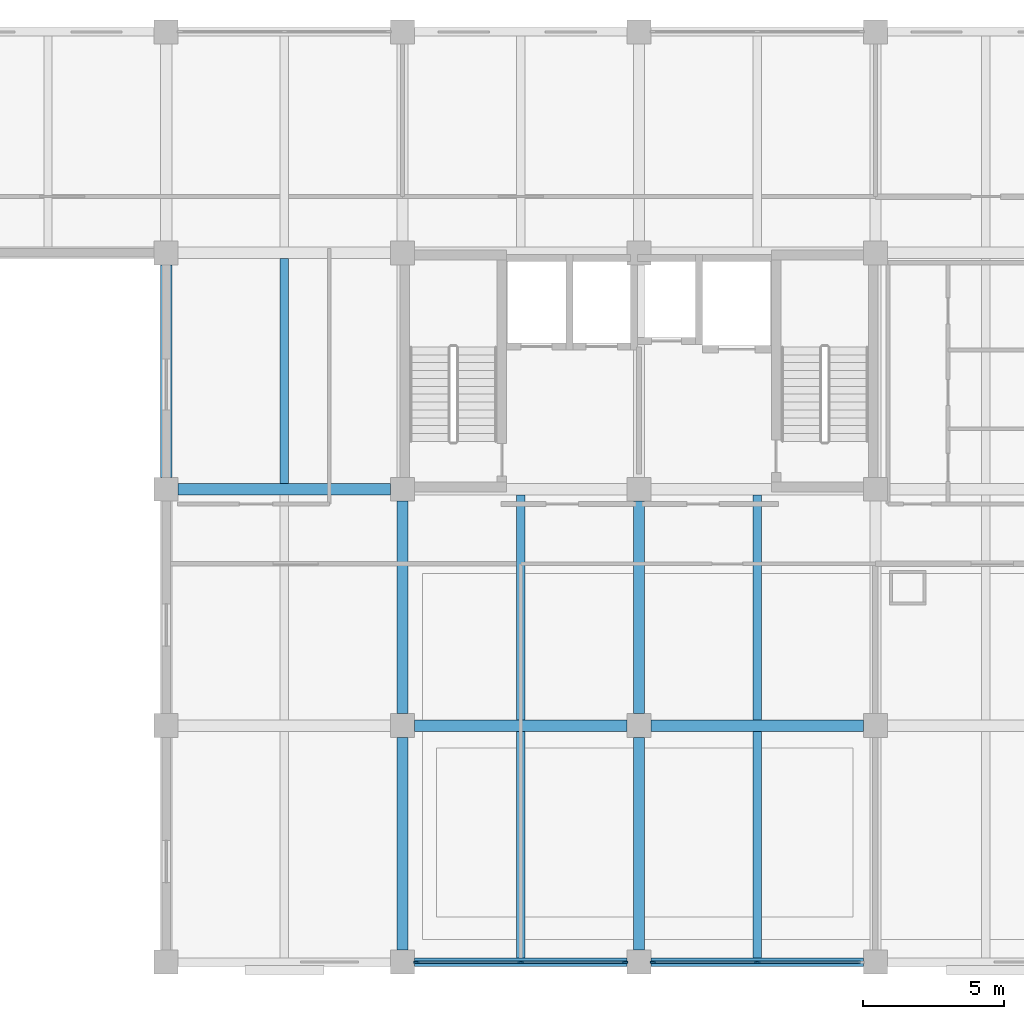
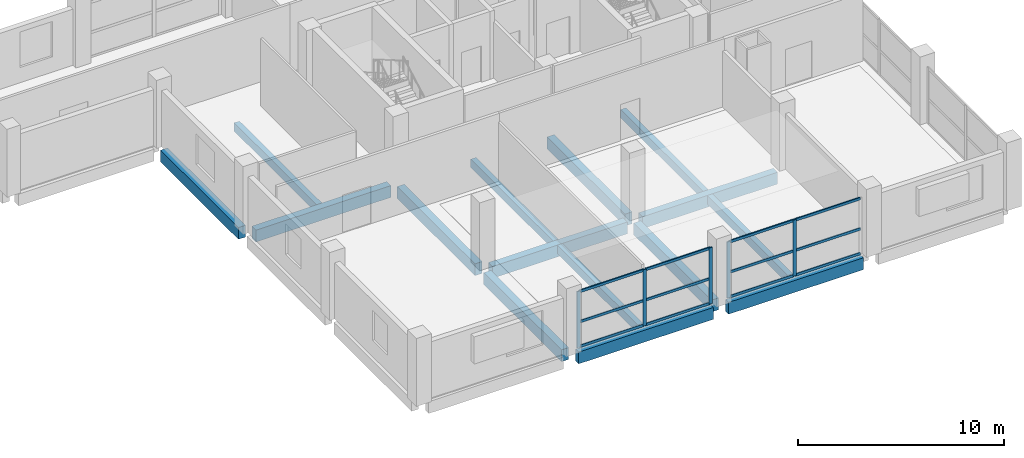
# One storey, part 2 of 9: 17 members, 15 beams, 2 elements without a shape of their own.
"""IFC4 building model written with IfcOpenShell, lengths in metres."""

from ifc_helpers import new_model, si_unit, direction, frame, origin, origin_2d, place, context, subcontext, project, spatial, rectangle, extrude, material, material_profile, profile_set, type_object, element, aggregate, save


model = new_model("IFC4")

# Units and contexts
model_context = context("Model", 3, precision=1e-05, world=origin(), true_north=direction((0.0, 1.0)))
body_context = subcontext(model_context, "Body", "Model", "MODEL_VIEW")
ifc_project = project(units=[si_unit("LENGTHUNIT", "METRE"), si_unit("AREAUNIT", "SQUARE_METRE"), si_unit("VOLUMEUNIT", "CUBIC_METRE"), si_unit("PLANEANGLEUNIT", "RADIAN"), si_unit("MASSUNIT", "GRAM", prefix="KILO")], contexts=[model_context])

# Site, building, storey
site_placement = place(None, origin())
site = spatial("IfcSite", under=ifc_project, at=site_placement, CompositionType="ELEMENT")
building_placement = place(site_placement, origin())
building = spatial("IfcBuilding", under=site, at=building_placement, Name="Brinegate Botanical Conservatory", CompositionType="ELEMENT")
storey_placement = place(building_placement, frame((0.0, 0.0, 31.800048828125)))
storey = spatial("IfcBuildingStorey", under=building, at=storey_placement, Name="L08", CompositionType="ELEMENT", Elevation=31.800048828125)

# Beams
ifc_material_1 = material(Name="Concrete C40/50", Category="concrete")
ifc_material_profile_1 = material_profile(ifc_material_1, rectangle(XDim=0.39990234375, YDim=0.699951171875, at=origin_2d()), Name="RC BM 400x700")
ifc_profile_set_1 = profile_set([ifc_material_profile_1], Name="Concrete C40/50")
beam_type_1 = type_object("IfcBeamType", Name="Beam_BM-T2", PredefinedType="BEAM", material=ifc_profile_set_1)
beam_1_placement = place(storey_placement, frame((139.22509765625, 86.800048828125, -0.530029296875), z_axis=(1.0, 0.0, 0.0), x_axis=(0.0, 1.0, 0.0)))
element("IfcBeam", 1, at=beam_1_placement, inside=storey, type_object=beam_type_1, Name="Beam BM-T2 L08 L:18-19", PredefinedType="BEAM", context=body_context, shape_type="SweptSolid", body=[
    extrude(rectangle(XDim=0.39990234375, YDim=0.699951171875, at=origin_2d()), origin(), (0.0, 0.0, 1.0), 7.5498046875),
])
for number, where, z_axis, x_axis, name in (
    (2, (147.625, 86.800048828125, -0.530029296875), (1.0, 0.0, 0.0), (0.0, 1.0, 0.0), "Beam BM-T2 L08 L:19-20"),
    (3, (130.824951171875, 95.199951171875, -0.530029296875), (1.0, 0.0, 0.0), (0.0, 1.0, 0.0), "Beam BM-T2 L08 M:17-18"),
    (4, (130.39990234375, 95.625, -0.530029296875), (0.0, 1.0, 0.0), (-1.0, 0.0, 0.0), "Beam BM-T2 L08 17:M-N"),
    (5, (138.800048828125, 78.824951171875, -0.530029296875), (0.0, 1.0, 0.0), (-1.0, 0.0, 0.0), "Beam BM-T2 L08 18:K-L"),
):
    element("IfcBeam", number, at=place(storey_placement, frame(where, z_axis=z_axis, x_axis=x_axis)), inside=storey, type_object=beam_type_1, Name=name, PredefinedType="BEAM", context=body_context, shape_type="SweptSolid", body=[
        extrude(rectangle(XDim=0.39990234375, YDim=0.699951171875, at=origin_2d()), origin(), (0.0, 0.0, 1.0), 7.550048828125),
    ])
beam_2_placement = place(storey_placement, frame((138.800048828125, 87.22509765625, -0.530029296875), z_axis=(0.0, 1.0, 0.0), x_axis=(-1.0, 0.0, 0.0)))
element("IfcBeam", 6, at=beam_2_placement, inside=storey, type_object=beam_type_1, Name="Beam BM-T2 L08 18:L-M", PredefinedType="BEAM", context=body_context, shape_type="SweptSolid", body=[
    extrude(rectangle(XDim=0.39990234375, YDim=0.699951171875, at=origin_2d()), origin(), (0.0, 0.0, 1.0), 7.5498046875),
])
beam_3_placement = place(storey_placement, frame((147.199951171875, 78.824951171875, -0.530029296875), z_axis=(0.0, 1.0, 0.0), x_axis=(-1.0, 0.0, 0.0)))
element("IfcBeam", 7, at=beam_3_placement, inside=storey, type_object=beam_type_1, Name="Beam BM-T2 L08 19:K-L", PredefinedType="BEAM", context=body_context, shape_type="SweptSolid", body=[
    extrude(rectangle(XDim=0.39990234375, YDim=0.699951171875, at=origin_2d()), origin(), (0.0, 0.0, 1.0), 7.550048828125),
])
beam_4_placement = place(storey_placement, frame((147.199951171875, 87.22509765625, -0.530029296875), z_axis=(0.0, 1.0, 0.0), x_axis=(-1.0, 0.0, 0.0)))
element("IfcBeam", 8, at=beam_4_placement, inside=storey, type_object=beam_type_1, Name="Beam BM-T2 L08 19:L-M", PredefinedType="BEAM", context=body_context, shape_type="SweptSolid", body=[
    extrude(rectangle(XDim=0.39990234375, YDim=0.699951171875, at=origin_2d()), origin(), (0.0, 0.0, 1.0), 7.5498046875),
])
ifc_material_profile_2 = material_profile(ifc_material_1, rectangle(XDim=0.300048828125, YDim=0.5, at=origin_2d()), Name="RC JST 300x500")
ifc_profile_set_2 = profile_set([ifc_material_profile_2], Name="Concrete C40/50")
beam_type_2 = type_object("IfcBeamType", Name="Beam_JS-C2", PredefinedType="JOIST", material=ifc_profile_set_2)
beam_5_placement = place(storey_placement, frame((134.60009765625, 95.39990234375, -0.429931640625), z_axis=(0.0, 1.0, 0.0), x_axis=(-1.0, 0.0, 0.0)))
element("IfcBeam", 9, at=beam_5_placement, inside=storey, type_object=beam_type_2, Name="Floor joist JS-C2 L08 bay 17.12", PredefinedType="JOIST", context=body_context, shape_type="SweptSolid", body=[
    extrude(rectangle(XDim=0.300048828125, YDim=0.5, at=origin_2d()), origin(), (0.0, 0.0, 1.0), 8.0),
])
beam_6_placement = place(storey_placement, frame((143.0, 78.550048828125, -0.429931640625), z_axis=(0.0, 1.0, 0.0), x_axis=(-1.0, 0.0, 0.0)))
element("IfcBeam", 10, at=beam_6_placement, inside=storey, type_object=beam_type_2, Name="Floor joist JS-C2 L08 bay 18.10", PredefinedType="JOIST", context=body_context, shape_type="SweptSolid", body=[
    extrude(rectangle(XDim=0.300048828125, YDim=0.5, at=origin_2d()), origin(), (0.0, 0.0, 1.0), 8.050048828125),
])
beam_7_placement = place(storey_placement, frame((143.0, 87.0, -0.429931640625), z_axis=(0.0, 1.0, 0.0), x_axis=(-1.0, 0.0, 0.0)))
element("IfcBeam", 11, at=beam_7_placement, inside=storey, type_object=beam_type_2, Name="Floor joist JS-C2 L08 bay 18.11", PredefinedType="JOIST", context=body_context, shape_type="SweptSolid", body=[
    extrude(rectangle(XDim=0.300048828125, YDim=0.5, at=origin_2d()), origin(), (0.0, 0.0, 1.0), 8.0),
])
beam_8_placement = place(storey_placement, frame((151.39990234375, 78.550048828125, -0.429931640625), z_axis=(0.0, 1.0, 0.0), x_axis=(-1.0, 0.0, 0.0)))
element("IfcBeam", 12, at=beam_8_placement, inside=storey, type_object=beam_type_2, Name="Floor joist JS-C2 L08 bay 19.10", PredefinedType="JOIST", context=body_context, shape_type="SweptSolid", body=[
    extrude(rectangle(XDim=0.300048828125, YDim=0.5, at=origin_2d()), origin(), (0.0, 0.0, 1.0), 8.050048828125),
])
beam_9_placement = place(storey_placement, frame((151.39990234375, 87.0, -0.429931640625), z_axis=(0.0, 1.0, 0.0), x_axis=(-1.0, 0.0, 0.0)))
element("IfcBeam", 13, at=beam_9_placement, inside=storey, type_object=beam_type_2, Name="Floor joist JS-C2 L08 bay 19.11", PredefinedType="JOIST", context=body_context, shape_type="SweptSolid", body=[
    extrude(rectangle(XDim=0.300048828125, YDim=0.5, at=origin_2d()), origin(), (0.0, 0.0, 1.0), 8.0),
])
ifc_material_profile_3 = material_profile(ifc_material_1, rectangle(XDim=0.300048828125, YDim=0.699951171875, at=origin_2d()), Name="RC SPN 300x700")
ifc_profile_set_3 = profile_set([ifc_material_profile_3], Name="Concrete C40/50")
beam_type_3 = type_object("IfcBeamType", Name="Beam_SP-02", PredefinedType="SPANDREL", material=ifc_profile_set_3)
beam_10_placement = place(storey_placement, frame((139.22509765625, 78.39990234375, -0.530029296875), z_axis=(1.0, 0.0, 0.0), x_axis=(0.0, 1.0, 0.0)))
element("IfcBeam", 14, at=beam_10_placement, inside=storey, type_object=beam_type_3, Name="Beam SP-02 L08 K:18-19", PredefinedType="SPANDREL", context=body_context, shape_type="SweptSolid", body=[
    extrude(rectangle(XDim=0.300048828125, YDim=0.699951171875, at=origin_2d()), origin(), (0.0, 0.0, 1.0), 7.5498046875),
])
beam_11_placement = place(storey_placement, frame((147.625, 78.39990234375, -0.530029296875), z_axis=(1.0, 0.0, 0.0), x_axis=(0.0, 1.0, 0.0)))
element("IfcBeam", 15, at=beam_11_placement, inside=storey, type_object=beam_type_3, Name="Beam SP-02 L08 K:19-20", PredefinedType="SPANDREL", context=body_context, shape_type="SweptSolid", body=[
    extrude(rectangle(XDim=0.300048828125, YDim=0.699951171875, at=origin_2d()), origin(), (0.0, 0.0, 1.0), 7.550048828125),
])

# Curtain wall, members
ifc_material_2 = material(Name="Thermally broken anodised aluminium AW-6063-T6", Category="aluminium")
curtain_wall_type = type_object("IfcCurtainWallType", Name="CW_CW-TW1", PredefinedType="USERDEFINED", material=ifc_material_2)
curtain_wall_1_placement = place(storey_placement, origin())
curtain_wall_1 = element("IfcCurtainWall", 16, at=curtain_wall_1_placement, inside=storey, type_object=curtain_wall_type, Name="Tower south curtain wall L08.2", ObjectType="FACTORY CURTAIN WALL", PredefinedType="USERDEFINED")
ifc_material_profile_4 = material_profile(ifc_material_2, rectangle(XDim=0.070068359375, YDim=0.199951171875, at=origin_2d()), Name="ALUM MULLION 70x200")
ifc_profile_set_4 = profile_set([ifc_material_profile_4], Name="Thermally broken anodised aluminium AW-6063-T6")
member_type_1 = type_object("IfcMemberType", Name="Member_ML-03", PredefinedType="MULLION", material=ifc_profile_set_4)
member_1_placement = place(storey_placement, frame((146.699951171875, 78.39990234375, 0.0), z_axis=(0.0, 0.0, 1.0), x_axis=(0.0, -1.0, 0.0)))
member_1 = element("IfcMember", 17, at=member_1_placement, type_object=member_type_1, Name="CW-TW1 mullion 1", PredefinedType="MULLION", context=body_context, shape_type="SweptSolid", body=[
    extrude(rectangle(XDim=0.070068359375, YDim=0.199951171875, at=origin_2d()), origin(), (0.0, 0.0, 1.0), 3.320068359375),
])
member_2_placement = place(storey_placement, frame((143.0, 78.39990234375, 0.0), z_axis=(0.0, 0.0, 1.0), x_axis=(0.0, -1.0, 0.0)))
member_2 = element("IfcMember", 18, at=member_2_placement, type_object=member_type_1, Name="CW-TW1 mullion 2", PredefinedType="MULLION", context=body_context, shape_type="SweptSolid", body=[
    extrude(rectangle(XDim=0.070068359375, YDim=0.199951171875, at=origin_2d()), origin(), (0.0, 0.0, 1.0), 3.320068359375),
])
member_3_placement = place(storey_placement, frame((139.300048828125, 78.39990234375, 0.0), z_axis=(0.0, 0.0, 1.0), x_axis=(0.0, -1.0, 0.0)))
member_3 = element("IfcMember", 19, at=member_3_placement, type_object=member_type_1, Name="CW-TW1 mullion 3", PredefinedType="MULLION", context=body_context, shape_type="SweptSolid", body=[
    extrude(rectangle(XDim=0.070068359375, YDim=0.199951171875, at=origin_2d()), origin(), (0.0, 0.0, 1.0), 3.320068359375),
])

curtain_wall_2_placement = place(storey_placement, origin())
curtain_wall_2 = element("IfcCurtainWall", 20, at=curtain_wall_2_placement, inside=storey, type_object=curtain_wall_type, Name="Tower south curtain wall L08.3", ObjectType="FACTORY CURTAIN WALL", PredefinedType="USERDEFINED")
member_4_placement = place(storey_placement, frame((151.39990234375, 78.39990234375, 0.0), z_axis=(0.0, 0.0, 1.0), x_axis=(0.0, -1.0, 0.0)))
member_4 = element("IfcMember", 21, at=member_4_placement, type_object=member_type_1, Name="CW-TW1 mullion 2", PredefinedType="MULLION", context=body_context, shape_type="SweptSolid", body=[
    extrude(rectangle(XDim=0.070068359375, YDim=0.199951171875, at=origin_2d()), origin(), (0.0, 0.0, 1.0), 3.320068359375),
])
member_5_placement = place(storey_placement, frame((147.699951171875, 78.39990234375, 0.0), z_axis=(0.0, 0.0, 1.0), x_axis=(0.0, -1.0, 0.0)))
member_5 = element("IfcMember", 22, at=member_5_placement, type_object=member_type_1, Name="CW-TW1 mullion 3", PredefinedType="MULLION", context=body_context, shape_type="SweptSolid", body=[
    extrude(rectangle(XDim=0.070068359375, YDim=0.199951171875, at=origin_2d()), origin(), (0.0, 0.0, 1.0), 3.320068359375),
])

# Member
ifc_material_profile_5 = material_profile(ifc_material_2, rectangle(XDim=0.070068359375, YDim=0.14990234375, at=origin_2d()), Name="ALUM TRANSOM 70x150")
ifc_profile_set_5 = profile_set([ifc_material_profile_5], Name="Thermally broken anodised aluminium AW-6063-T6")
member_type_2 = type_object("IfcMemberType", Name="Member_TR-03", PredefinedType="USERDEFINED", material=ifc_profile_set_5)
member_6_placement = place(storey_placement, frame((146.6650390625, 78.39990234375, 0.034912109375), z_axis=(-1.0, 0.0, 0.0), x_axis=(0.0, -1.0, 0.0)))
member_6 = element("IfcMember", 23, at=member_6_placement, type_object=member_type_2, Name="CW-TW1 transom 1.1", ObjectType="TRANSOM", PredefinedType="USERDEFINED", context=body_context, shape_type="SweptSolid", body=[
    extrude(rectangle(XDim=0.070068359375, YDim=0.14990234375, at=origin_2d()), origin(), (0.0, 0.0, 1.0), 3.630126953125),
])

member_7_placement = place(storey_placement, frame((146.6650390625, 78.39990234375, 1.493896484375), z_axis=(-1.0, 0.0, 0.0), x_axis=(0.0, -1.0, 0.0)))
member_7 = element("IfcMember", 24, at=member_7_placement, type_object=member_type_2, Name="CW-TW1 transom 1.2", ObjectType="TRANSOM", PredefinedType="USERDEFINED", context=body_context, shape_type="SweptSolid", body=[
    extrude(rectangle(XDim=0.070068359375, YDim=0.14990234375, at=origin_2d()), origin(), (0.0, 0.0, 1.0), 3.630126953125),
])

member_8_placement = place(storey_placement, frame((146.6650390625, 78.39990234375, 3.284912109375), z_axis=(-1.0, 0.0, 0.0), x_axis=(0.0, -1.0, 0.0)))
member_8 = element("IfcMember", 25, at=member_8_placement, type_object=member_type_2, Name="CW-TW1 transom 1.3", ObjectType="TRANSOM", PredefinedType="USERDEFINED", context=body_context, shape_type="SweptSolid", body=[
    extrude(rectangle(XDim=0.070068359375, YDim=0.14990234375, at=origin_2d()), origin(), (0.0, 0.0, 1.0), 3.630126953125),
])

member_9_placement = place(storey_placement, frame((142.965087890625, 78.39990234375, 0.034912109375), z_axis=(-1.0, 0.0, 0.0), x_axis=(0.0, -1.0, 0.0)))
member_9 = element("IfcMember", 26, at=member_9_placement, type_object=member_type_2, Name="CW-TW1 transom 2.1", ObjectType="TRANSOM", PredefinedType="USERDEFINED", context=body_context, shape_type="SweptSolid", body=[
    extrude(rectangle(XDim=0.070068359375, YDim=0.14990234375, at=origin_2d()), origin(), (0.0, 0.0, 1.0), 3.630126953125),
])

member_10_placement = place(storey_placement, frame((142.965087890625, 78.39990234375, 1.493896484375), z_axis=(-1.0, 0.0, 0.0), x_axis=(0.0, -1.0, 0.0)))
member_10 = element("IfcMember", 27, at=member_10_placement, type_object=member_type_2, Name="CW-TW1 transom 2.2", ObjectType="TRANSOM", PredefinedType="USERDEFINED", context=body_context, shape_type="SweptSolid", body=[
    extrude(rectangle(XDim=0.070068359375, YDim=0.14990234375, at=origin_2d()), origin(), (0.0, 0.0, 1.0), 3.630126953125),
])

member_11_placement = place(storey_placement, frame((142.965087890625, 78.39990234375, 3.284912109375), z_axis=(-1.0, 0.0, 0.0), x_axis=(0.0, -1.0, 0.0)))
member_11 = element("IfcMember", 28, at=member_11_placement, type_object=member_type_2, Name="CW-TW1 transom 2.3", ObjectType="TRANSOM", PredefinedType="USERDEFINED", context=body_context, shape_type="SweptSolid", body=[
    extrude(rectangle(XDim=0.070068359375, YDim=0.14990234375, at=origin_2d()), origin(), (0.0, 0.0, 1.0), 3.630126953125),
])

aggregate(curtain_wall_1, [member_1, member_2, member_3, member_6, member_7, member_8, member_9, member_10, member_11])

member_12_placement = place(storey_placement, frame((155.06494140625, 78.39990234375, 0.034912109375), z_axis=(-1.0, 0.0, 0.0), x_axis=(0.0, -1.0, 0.0)))
member_12 = element("IfcMember", 29, at=member_12_placement, type_object=member_type_2, Name="CW-TW1 transom 1.1", ObjectType="TRANSOM", PredefinedType="USERDEFINED", context=body_context, shape_type="SweptSolid", body=[
    extrude(rectangle(XDim=0.070068359375, YDim=0.14990234375, at=origin_2d()), origin(), (0.0, 0.0, 1.0), 3.6298828125),
])

member_13_placement = place(storey_placement, frame((155.06494140625, 78.39990234375, 1.493896484375), z_axis=(-1.0, 0.0, 0.0), x_axis=(0.0, -1.0, 0.0)))
member_13 = element("IfcMember", 30, at=member_13_placement, type_object=member_type_2, Name="CW-TW1 transom 1.2", ObjectType="TRANSOM", PredefinedType="USERDEFINED", context=body_context, shape_type="SweptSolid", body=[
    extrude(rectangle(XDim=0.070068359375, YDim=0.14990234375, at=origin_2d()), origin(), (0.0, 0.0, 1.0), 3.6298828125),
])

member_14_placement = place(storey_placement, frame((155.06494140625, 78.39990234375, 3.284912109375), z_axis=(-1.0, 0.0, 0.0), x_axis=(0.0, -1.0, 0.0)))
member_14 = element("IfcMember", 31, at=member_14_placement, type_object=member_type_2, Name="CW-TW1 transom 1.3", ObjectType="TRANSOM", PredefinedType="USERDEFINED", context=body_context, shape_type="SweptSolid", body=[
    extrude(rectangle(XDim=0.070068359375, YDim=0.14990234375, at=origin_2d()), origin(), (0.0, 0.0, 1.0), 3.6298828125),
])

member_15_placement = place(storey_placement, frame((151.364990234375, 78.39990234375, 0.034912109375), z_axis=(-1.0, 0.0, 0.0), x_axis=(0.0, -1.0, 0.0)))
member_15 = element("IfcMember", 32, at=member_15_placement, type_object=member_type_2, Name="CW-TW1 transom 2.1", ObjectType="TRANSOM", PredefinedType="USERDEFINED", context=body_context, shape_type="SweptSolid", body=[
    extrude(rectangle(XDim=0.070068359375, YDim=0.14990234375, at=origin_2d()), origin(), (0.0, 0.0, 1.0), 3.6298828125),
])

member_16_placement = place(storey_placement, frame((151.364990234375, 78.39990234375, 1.493896484375), z_axis=(-1.0, 0.0, 0.0), x_axis=(0.0, -1.0, 0.0)))
member_16 = element("IfcMember", 33, at=member_16_placement, type_object=member_type_2, Name="CW-TW1 transom 2.2", ObjectType="TRANSOM", PredefinedType="USERDEFINED", context=body_context, shape_type="SweptSolid", body=[
    extrude(rectangle(XDim=0.070068359375, YDim=0.14990234375, at=origin_2d()), origin(), (0.0, 0.0, 1.0), 3.6298828125),
])

member_17_placement = place(storey_placement, frame((151.364990234375, 78.39990234375, 3.284912109375), z_axis=(-1.0, 0.0, 0.0), x_axis=(0.0, -1.0, 0.0)))
member_17 = element("IfcMember", 34, at=member_17_placement, type_object=member_type_2, Name="CW-TW1 transom 2.3", ObjectType="TRANSOM", PredefinedType="USERDEFINED", context=body_context, shape_type="SweptSolid", body=[
    extrude(rectangle(XDim=0.070068359375, YDim=0.14990234375, at=origin_2d()), origin(), (0.0, 0.0, 1.0), 3.6298828125),
])

aggregate(curtain_wall_2, [member_4, member_5, member_12, member_13, member_14, member_15, member_16, member_17])

save(model, "model.ifc")
